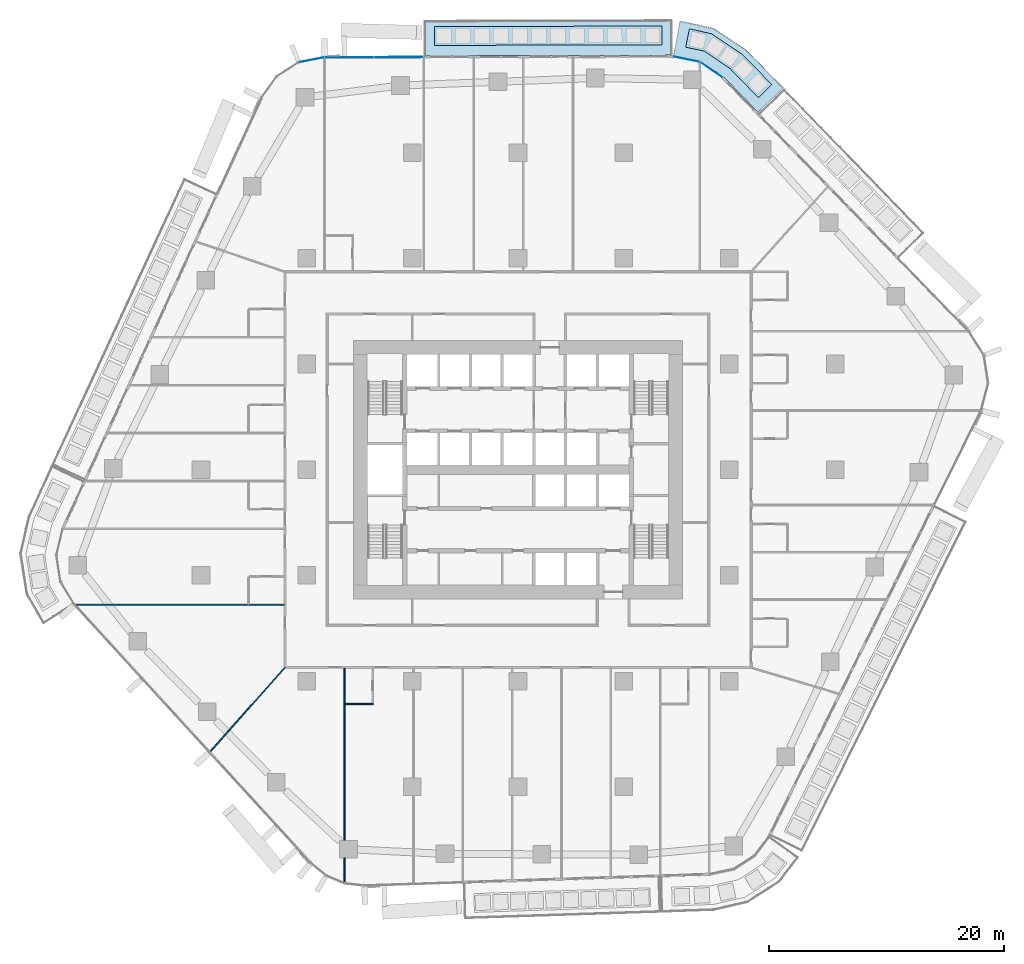
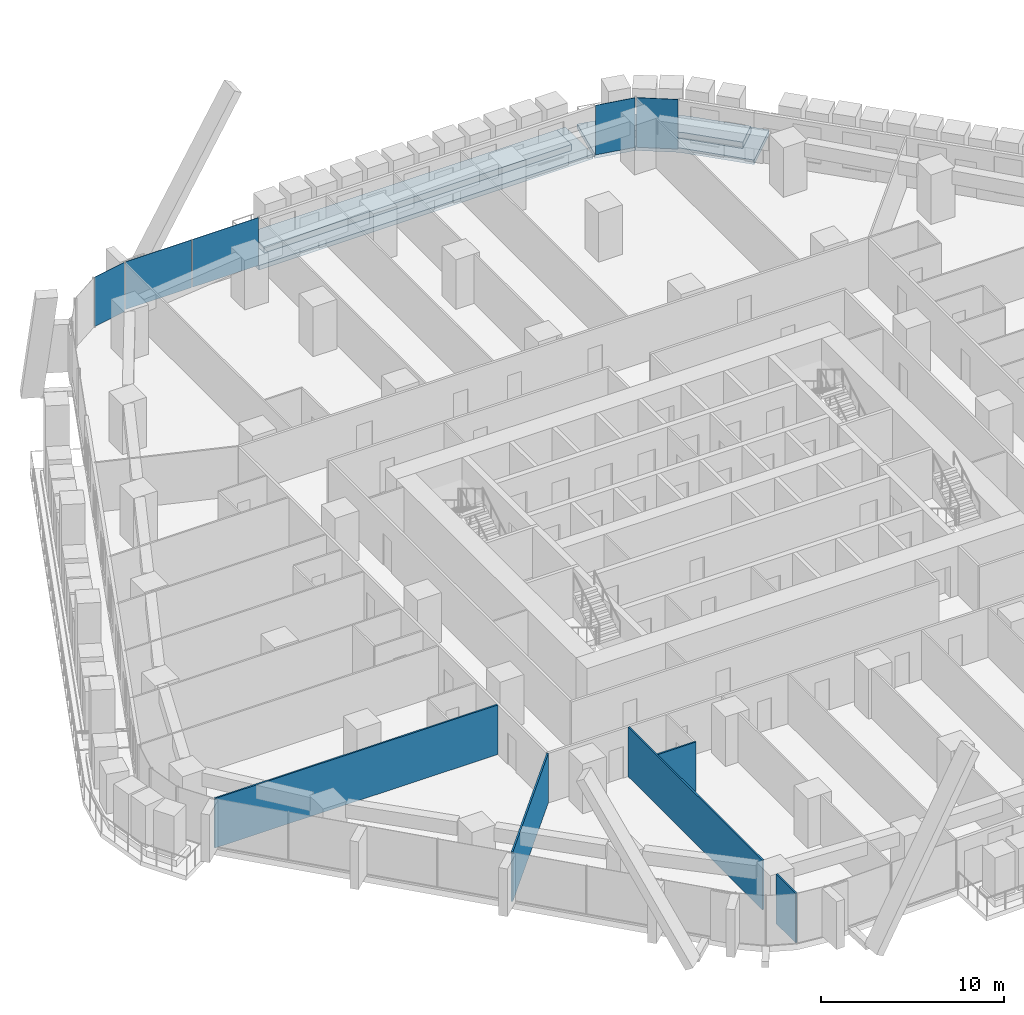
# One storey, part 12 of 27: 5 plates, 5 walls, 4 slabs, 3 elements without a shape of their own.
"""IFC4 building model written with IfcOpenShell, lengths in metres."""

from ifc_helpers import new_model, si_unit, direction, frame, frame_2d, origin, origin_2d, place, context, subcontext, project, spatial, polyline, rectangle, outline, extrude, material, layer, layer_set, type_object, element, aggregate, save


model = new_model("IFC4")

# Units and contexts
model_context = context("Model", 3, precision=1e-05, world=origin(), true_north=direction((0.0, 1.0)))
body_context = subcontext(model_context, "Body", "Model", "MODEL_VIEW")
ifc_project = project(units=[si_unit("LENGTHUNIT", "METRE"), si_unit("AREAUNIT", "SQUARE_METRE"), si_unit("VOLUMEUNIT", "CUBIC_METRE"), si_unit("PLANEANGLEUNIT", "RADIAN"), si_unit("MASSUNIT", "GRAM", prefix="KILO")], contexts=[model_context])

# Site, building, storey
site_placement = place(None, origin())
site = spatial("IfcSite", under=ifc_project, at=site_placement, CompositionType="ELEMENT")
building_placement = place(site_placement, origin())
building = spatial("IfcBuilding", under=site, at=building_placement, Name="Dongbaek Canopy Tower", CompositionType="ELEMENT")
storey_placement = place(building_placement, frame((0.0, 0.0, 62.5)))
storey = spatial("IfcBuildingStorey", under=building, at=storey_placement, Name="L11", CompositionType="ELEMENT", Elevation=62.5)

# Slabs
ifc_material_1 = material(Name="Concrete C40/50", Category="concrete")
ifc_layer_1 = layer(ifc_material_1, 0.300048828125)
ifc_layer_set_1 = layer_set([ifc_layer_1], Name="Balcony slab 300")
slab_type_1 = type_object("IfcSlabType", Name="Balcony slab 300", PredefinedType="FLOOR", material=ifc_layer_set_1)
slab_1_placement = place(storey_placement, frame((0.0, 0.0, -0.300048828125)))
element("IfcSlab", 1, at=slab_1_placement, inside=storey, type_object=slab_type_1, Name="Balcony L11 6", PredefinedType="FLOOR", context=body_context, shape_type="SweptSolid", body=[
    extrude(outline(polyline([(20.449951171875, 30.416259765625), (17.490966796875, 33.46875), (15.5146484375, 34.821044921875), (13.2158203125, 35.28271484375), (13.806640625, 38.22412109375), (16.680419921875, 37.585205078125), (19.424560546875, 35.762451171875), (22.60400390625, 32.50439453125), (20.449951171875, 30.416259765625)])), origin(), (0.0, 0.0, 1.0), 0.300048828125),
])
slab_2_placement = place(storey_placement, frame((0.0, 0.0, -0.300048828125)))
element("IfcSlab", 2, at=slab_2_placement, inside=storey, type_object=slab_type_1, Name="Balcony L11 2", PredefinedType="FLOOR", context=body_context, shape_type="SweptSolid", body=[
    extrude(outline(polyline([(13.116943359375, 35.29248046875), (-7.970703125, 35.236328125), (-7.978759765625, 38.236328125), (13.10888671875, 38.29248046875), (13.116943359375, 35.29248046875)])), origin(), (0.0, 0.0, 1.0), 0.300048828125),
])

# Curtain wall, plates
ifc_material_2 = material(Name="Aluminium 6063-T6 pale anodised", Category="aluminium")
ifc_layer_2 = layer(ifc_material_2, 0.199951171875)
ifc_layer_set_2 = layer_set([ifc_layer_2], Name="CW-1 unitised tower curtain wall")
curtain_wall_type = type_object("IfcCurtainWallType", Name="CW-1 unitised tower curtain wall", PredefinedType="NOTDEFINED", material=ifc_layer_set_2)
curtain_wall_1_placement = place(storey_placement, origin())
curtain_wall_1 = element("IfcCurtainWall", 3, at=curtain_wall_1_placement, inside=storey, type_object=curtain_wall_type, Name="CW-1 curtain wall K1.1", PredefinedType="NOTDEFINED")
ifc_material_3 = material(Name="Clear laminated glass", Category="glass")
ifc_layer_3 = layer(ifc_material_3, 0.028076171875)
ifc_layer_set_3 = layer_set([ifc_layer_3], Name="CW-1 glazed panel 28")
plate_type = type_object("IfcPlateType", Name="CW-1 glazed panel 28", PredefinedType="CURTAIN_PANEL", material=ifc_layer_set_3)
plate_1_placement = place(storey_placement, frame((16.450439453125, 34.0595703125, 0.0), z_axis=(0.0, 0.0, 1.0), x_axis=(-0.825317877903, 0.564668398633, 0.0)))
plate_1 = element("IfcPlate", 4, at=plate_1_placement, type_object=plate_type, Name="CW-1 panel K1.1.1.1", PredefinedType="CURTAIN_PANEL", context=body_context, shape_type="SweptSolid", body=[
    extrude(rectangle(XDim=2.2802734375, YDim=0.028076171875, at=origin_2d()), origin(), (0.0, 0.0, 1.0), 3.300048828125),
])
plate_2_placement = place(storey_placement, frame((14.31591796875, 34.959716796875, 0.0), z_axis=(0.0, 0.0, 1.0), x_axis=(-0.980416013285, 0.19693765738, 0.0)))
plate_2 = element("IfcPlate", 5, at=plate_2_placement, type_object=plate_type, Name="CW-1 panel K1.1.2.1", PredefinedType="CURTAIN_PANEL", context=body_context, shape_type="SweptSolid", body=[
    extrude(rectangle(XDim=2.2802734375, YDim=0.028076171875, at=origin_2d()), origin(), (0.0, 0.0, 1.0), 3.300048828125),
])
aggregate(curtain_wall_1, [plate_1, plate_2])

curtain_wall_2_placement = place(storey_placement, origin())
curtain_wall_2 = element("IfcCurtainWall", 6, at=curtain_wall_2_placement, inside=storey, type_object=curtain_wall_type, Name="CW-1 curtain wall F1.1", PredefinedType="NOTDEFINED")
plate_3_placement = place(storey_placement, frame((-10.13916015625, 35.13037109375, 0.1201171875), z_axis=(0.0, 0.0, 1.0), x_axis=(-0.999996447361, -0.002665570299, 0.0)))
plate_3 = element("IfcPlate", 7, at=plate_3_placement, type_object=plate_type, Name="CW-1 panel F1.1.1.1", PredefinedType="CURTAIN_PANEL", context=body_context, shape_type="SweptSolid", body=[
    extrude(rectangle(XDim=4.153564453125, YDim=0.028076171875, at=origin_2d()), origin(), (0.0, 0.0, 1.0), 3.179931640625),
])
plate_4_placement = place(storey_placement, frame((-14.3720703125, 35.119140625, 0.1201171875), z_axis=(0.0, 0.0, 1.0), x_axis=(-0.999996447361, -0.002665570299, 0.0)))
plate_4 = element("IfcPlate", 8, at=plate_4_placement, type_object=plate_type, Name="CW-1 panel F1.1.2.1", PredefinedType="CURTAIN_PANEL", context=body_context, shape_type="SweptSolid", body=[
    extrude(rectangle(XDim=4.14404296875, YDim=0.028076171875, at=origin_2d()), origin(), (0.0, 0.0, 1.0), 3.179931640625),
])
aggregate(curtain_wall_2, [plate_3, plate_4])

# Curtain wall, plate
curtain_wall_3_placement = place(storey_placement, origin())
curtain_wall_3 = element("IfcCurtainWall", 9, at=curtain_wall_3_placement, inside=storey, type_object=curtain_wall_type, Name="CW-1 curtain wall K2.1", PredefinedType="NOTDEFINED")
plate_5_placement = place(storey_placement, frame((-17.580322265625, 34.90087890625, 0.0), z_axis=(0.0, 0.0, 1.0), x_axis=(-0.981624923335, -0.190820622283, 0.0)))
plate_5 = element("IfcPlate", 10, at=plate_5_placement, type_object=plate_type, Name="CW-1 panel K2.1.1.1", PredefinedType="CURTAIN_PANEL", context=body_context, shape_type="SweptSolid", body=[
    extrude(rectangle(XDim=2.145751953125, YDim=0.028076171875, at=origin_2d()), origin(), (0.0, 0.0, 1.0), 3.300048828125),
])
aggregate(curtain_wall_3, [plate_5])

# Slabs
ifc_material_4 = material(Name="Reinforced concrete C40/50 planter box with soil", Category="concrete")
ifc_layer_4 = layer(ifc_material_4, 0.419921875)
ifc_layer_set_4 = layer_set([ifc_layer_4], Name="Terrace planter box 1600 x 420")
slab_type_2 = type_object("IfcSlabType", Name="Terrace planter box 1600 x 420", PredefinedType="USERDEFINED", material=ifc_layer_set_4)
slab_3_placement = place(storey_placement, origin())
element("IfcSlab", 11, at=slab_3_placement, inside=storey, type_object=slab_type_2, Name="Balcony planter L11 6", ObjectType="PLANTER", PredefinedType="USERDEFINED", context=body_context, shape_type="SweptSolid", body=[
    extrude(outline(polyline([(20.462646484375, 31.681884765625), (18.064453125, 34.149169921875), (15.8603515625, 35.64111328125), (14.2734375, 35.97802734375), (14.588623046875, 37.546630859375), (16.482177734375, 37.115234375), (19.095947265625, 35.37255859375), (21.611328125, 32.795654296875), (20.462646484375, 31.681884765625)])), origin(), (0.0, 0.0, 1.0), 0.419921875),
])
slab_4_placement = place(storey_placement, origin())
element("IfcSlab", 12, at=slab_4_placement, inside=storey, type_object=slab_type_2, Name="Balcony planter L11 2", ObjectType="PLANTER", PredefinedType="USERDEFINED", context=body_context, shape_type="SweptSolid", body=[
    extrude(outline(polyline([(12.264404296875, 36.18017578125), (-7.123046875, 36.12841796875), (-7.12744140625, 37.728515625), (12.26025390625, 37.7802734375), (12.264404296875, 36.18017578125)])), origin(), (0.0, 0.0, 1.0), 0.419921875),
])

# Walls
ifc_material_5 = material(Name="Gypsum board partition, steel stud, 2 x 12.5 mm board", Category="steel")
ifc_layer_5 = layer(ifc_material_5, 0.10009765625)
ifc_layer_set_5 = layer_set([ifc_layer_5], Name="Partition 100 gypsum board")
wall_type = type_object("IfcWallType", Name="Partition 100 gypsum board", PredefinedType="PARTITIONING", material=ifc_layer_set_5)
wall_1_placement = place(storey_placement, frame((-14.723876953125, -19.949951171875, 0.0), z_axis=(0.0, 0.0, 1.0), x_axis=(1.0, 0.0, 0.0)))
element("IfcWall", 13, at=wall_1_placement, inside=storey, type_object=wall_type, Name="Partition", PredefinedType="PARTITIONING", context=body_context, shape_type="SweptSolid", body=[
    extrude(rectangle(XDim=2.400146484375, YDim=0.10009765625, at=frame_2d((1.2001953125, 0.0))), origin(), (0.0, 0.0, 1.0), 3.300048828125),
])
wall_2_placement = place(storey_placement, frame((-37.735595703125, -11.498046875, 0.0), z_axis=(0.0, 0.0, 1.0), x_axis=(1.0, 0.0, 0.0)))
element("IfcWall", 14, at=wall_2_placement, inside=storey, type_object=wall_type, Name="Partition", PredefinedType="PARTITIONING", context=body_context, shape_type="SweptSolid", body=[
    extrude(rectangle(XDim=17.810546875, YDim=0.10009765625, at=frame_2d((8.9052734375, 0.0))), origin(), (0.0, 0.0, 1.0), 3.300048828125),
])
wall_3_placement = place(storey_placement, frame((-26.25341796875, -24.0498046875, 0.0), z_axis=(0.0, 0.0, 1.0), x_axis=(0.66458555916, 0.747212175059, 0.0)))
element("IfcWall", 15, at=wall_3_placement, inside=storey, type_object=wall_type, Name="Partition", PredefinedType="PARTITIONING", context=body_context, shape_type="SweptSolid", body=[
    extrude(rectangle(XDim=9.635498046875, YDim=0.10009765625, at=frame_2d((4.81787109375, 0.0))), origin(), (0.0, 0.0, 1.0), 3.300048828125),
])
wall_4_placement = place(storey_placement, frame((-14.77392578125, -35.199951171875, 0.0), z_axis=(0.0, 0.0, 1.0), x_axis=(0.0, 1.0, 0.0)))
element("IfcWall", 16, at=wall_4_placement, inside=storey, type_object=wall_type, Name="Partition", PredefinedType="PARTITIONING", context=body_context, shape_type="SweptSolid", body=[
    extrude(rectangle(XDim=2.136962890625, YDim=0.10009765625, at=frame_2d((1.068359375, 0.0))), origin(), (0.0, 0.0, 1.0), 3.300048828125),
])
wall_5_placement = place(storey_placement, frame((-14.77392578125, -31.56298828125, 0.0), z_axis=(0.0, 0.0, 1.0), x_axis=(0.0, 1.0, 0.0)))
element("IfcWall", 17, at=wall_5_placement, inside=storey, type_object=wall_type, Name="Partition", PredefinedType="PARTITIONING", context=body_context, shape_type="SweptSolid", body=[
    extrude(rectangle(XDim=14.637939453125, YDim=0.10009765625, at=frame_2d((7.31884765625, 0.0))), origin(), (0.0, 0.0, 1.0), 3.300048828125),
])

save(model, "model.ifc")
